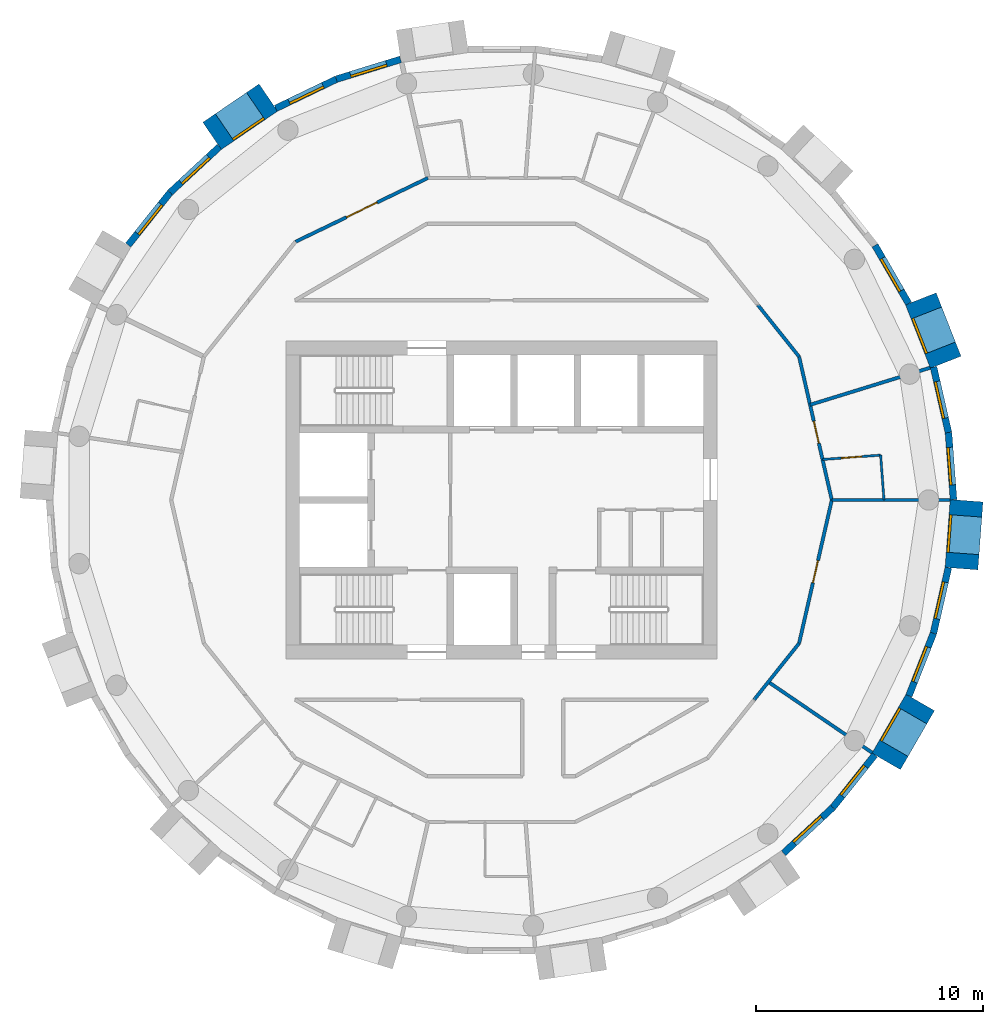
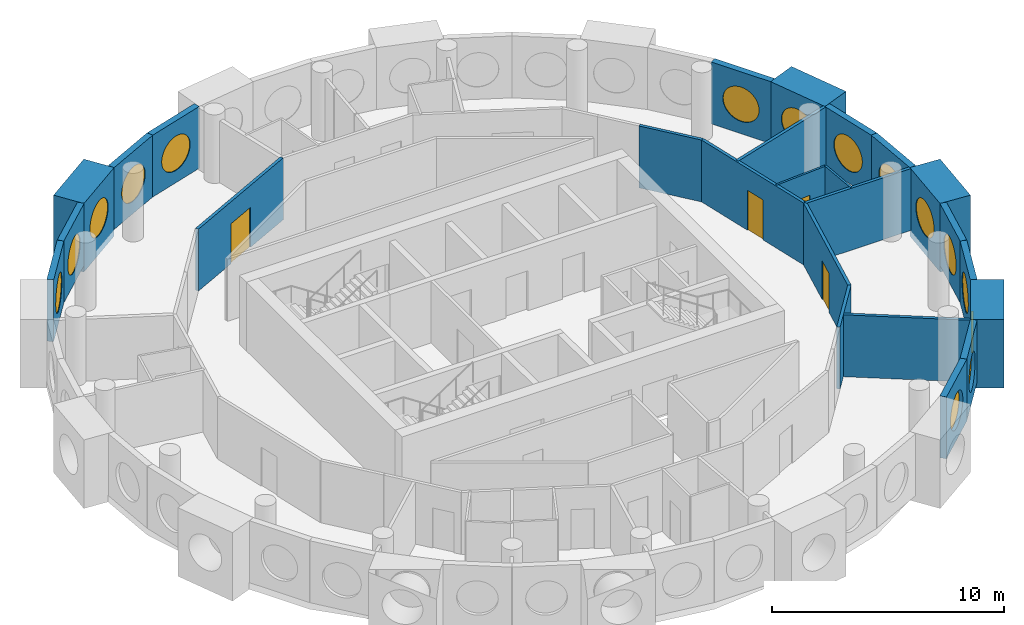
# One storey, part 10 of 13: 25 walls, 15 windows, 4 doors, 19 openings.
"""IFC4 building model written with IfcOpenShell, lengths in metres."""

from ifc_helpers import new_model, si_unit, direction, frame, frame_2d, origin, origin_2d, place, context, subcontext, project, spatial, rectangle, circle, extrude, material, layer, layer_set, type_object, element, fill, save


model = new_model("IFC4")

# Units and contexts
model_context = context("Model", 3, precision=1e-05, world=origin(), true_north=direction((0.0, 1.0)))
body_context = subcontext(model_context, "Body", "Model", "MODEL_VIEW")
ifc_project = project(units=[si_unit("LENGTHUNIT", "METRE"), si_unit("AREAUNIT", "SQUARE_METRE"), si_unit("VOLUMEUNIT", "CUBIC_METRE"), si_unit("PLANEANGLEUNIT", "RADIAN"), si_unit("MASSUNIT", "GRAM", prefix="KILO")], contexts=[model_context])

# Site, building, storey
site_placement = place(None, origin())
site = spatial("IfcSite", under=ifc_project, at=site_placement, CompositionType="ELEMENT")
building_placement = place(site_placement, origin())
building = spatial("IfcBuilding", under=site, at=building_placement, Name="Tracery Tower", CompositionType="ELEMENT")
storey_placement = place(building_placement, frame((0.0, 0.0, 298.199951171875)))
storey = spatial("IfcBuildingStorey", under=building, at=storey_placement, Name="L77", CompositionType="ELEMENT", Elevation=298.199951171875)

# Wall, opening, window
ifc_material_1 = material(Name="Precast concrete C50/60", Category="concrete")
ifc_layer_1 = layer(ifc_material_1, 1.449951171875)
ifc_layer_set_1 = layer_set([ifc_layer_1], Name="Deep-set bay unit 3000 x 3600, slab edge 350")
wall_type_1 = type_object("IfcWallType", Name="Deep-set bay unit 3000 x 3600, slab edge 350", PredefinedType="ELEMENTEDWALL", material=ifc_layer_set_1)
wall_1_placement = place(storey_placement, frame((19.576171875, 6.071533203125, -0.349853515625), z_axis=(0.0, 0.0, 1.0), x_axis=(-0.36537792632, 0.93085926485, 0.0)))
wall_1 = element("IfcWall", 1, at=wall_1_placement, inside=storey, type_object=wall_type_1, Name="Deep-set bay unit 3 at L77", PredefinedType="ELEMENTEDWALL", context=body_context, shape_type="SweptSolid", body=[
    extrude(rectangle(XDim=3.000244140625, YDim=1.449951171875, at=frame_2d((1.5, 0.0))), origin(), (0.0, 0.0, 1.0), 3.599853515625),
])
opening_1_placement = place(wall_1_placement, frame((1.5, 0.0, 1.89990234375)))
opening_1 = element("IfcOpeningElement", 2, at=opening_1_placement, cuts=wall_1, Name="Opening WN1", PredefinedType="OPENING", context=body_context, shape_type="SweptSolid", body=[
    extrude(circle(Radius=0.9000244140625, at=origin_2d()), frame((0.0, 0.73486328125, 0.0), z_axis=(0.0, -1.0, 0.0), x_axis=(1.0, 0.0, 0.0)), (0.0, 0.0, 1.0), 1.469970703125),
])
ifc_material_2 = material(Name="Aluminium frame with tinted double glazing", Category="aluminium")
window_type = type_object("IfcWindowType", Name="Round window 1800", PartitioningType="SINGLE_PANEL", PredefinedType="WINDOW", material=ifc_material_2)
window_1_placement = place(opening_1_placement, origin())
window_1 = element("IfcWindow", 3, at=window_1_placement, inside=storey, type_object=window_type, Name="Round window 3 at L77", OverallHeight=1.800048828125, OverallWidth=1.800048828125, PartitioningType="SINGLE_PANEL", PredefinedType="WINDOW", context=body_context, shape_type="SweptSolid", body=[
    extrude(circle(Radius=0.9000244140625, at=origin_2d()), frame((0.0, 0.69482421875, 0.0), z_axis=(0.0, -1.0, 0.0), x_axis=(1.0, 0.0, 0.0)), (0.0, 0.0, 1.0), 0.10009765625),
])
fill(opening_1, window_1)

wall_2_placement = place(storey_placement, frame((-10.275390625, 17.734130859375, -0.349853515625), z_axis=(0.0, 0.0, 1.0), x_axis=(-0.826246281157, -0.563309047392, 0.0)))
wall_2 = element("IfcWall", 4, at=wall_2_placement, inside=storey, type_object=wall_type_1, Name="Deep-set bay unit 15 at L77", PredefinedType="ELEMENTEDWALL", context=body_context, shape_type="SweptSolid", body=[
    extrude(rectangle(XDim=3.0, YDim=1.449951171875, at=frame_2d((1.5, 0.0))), origin(), (0.0, 0.0, 1.0), 3.599853515625),
])
opening_2_placement = place(wall_2_placement, frame((1.5, 0.0, 1.89990234375)))
opening_2 = element("IfcOpeningElement", 5, at=opening_2_placement, cuts=wall_2, Name="Opening WN1", PredefinedType="OPENING", context=body_context, shape_type="SweptSolid", body=[
    extrude(circle(Radius=0.9000244140625, at=origin_2d()), frame((0.0, 0.73486328125, 0.0), z_axis=(0.0, -1.0, 0.0), x_axis=(1.0, 0.0, 0.0)), (0.0, 0.0, 1.0), 1.469970703125),
])
window_2_placement = place(opening_2_placement, origin())
window_2 = element("IfcWindow", 6, at=window_2_placement, inside=storey, type_object=window_type, Name="Round window 15 at L77", OverallHeight=1.800048828125, OverallWidth=1.800048828125, PartitioningType="SINGLE_PANEL", PredefinedType="WINDOW", context=body_context, shape_type="SweptSolid", body=[
    extrude(circle(Radius=0.9000244140625, at=origin_2d()), frame((0.0, 0.69482421875, 0.0), z_axis=(0.0, -1.0, 0.0), x_axis=(1.0, 0.0, 0.0)), (0.0, 0.0, 1.0), 0.10009765625),
])
fill(opening_2, window_2)

wall_3_placement = place(storey_placement, frame((16.952392578125, -11.51953125, -0.349853515625), z_axis=(0.0, 0.0, 1.0), x_axis=(0.499990139034, 0.866031096941, 0.0)))
wall_3 = element("IfcWall", 7, at=wall_3_placement, inside=storey, type_object=wall_type_1, Name="Deep-set bay unit 39 at L77", PredefinedType="ELEMENTEDWALL", context=body_context, shape_type="SweptSolid", body=[
    extrude(rectangle(XDim=3.0, YDim=1.449951171875, at=frame_2d((1.5, 0.0))), origin(), (0.0, 0.0, 1.0), 3.599853515625),
])
opening_3_placement = place(wall_3_placement, frame((1.5, 0.0, 1.89990234375)))
opening_3 = element("IfcOpeningElement", 8, at=opening_3_placement, cuts=wall_3, Name="Opening WN1", PredefinedType="OPENING", context=body_context, shape_type="SweptSolid", body=[
    extrude(circle(Radius=0.9000244140625, at=origin_2d()), frame((0.0, 0.73486328125, 0.0), z_axis=(0.0, -1.0, 0.0), x_axis=(1.0, 0.0, 0.0)), (0.0, 0.0, 1.0), 1.469970703125),
])
window_3_placement = place(opening_3_placement, origin())
window_3 = element("IfcWindow", 9, at=window_3_placement, inside=storey, type_object=window_type, Name="Round window 39 at L77", OverallHeight=1.800048828125, OverallWidth=1.800048828125, PartitioningType="SINGLE_PANEL", PredefinedType="WINDOW", context=body_context, shape_type="SweptSolid", body=[
    extrude(circle(Radius=0.9000244140625, at=origin_2d()), frame((0.0, 0.69482421875, 0.0), z_axis=(0.0, -1.0, 0.0), x_axis=(1.0, 0.0, 0.0)), (0.0, 0.0, 1.0), 0.10009765625),
])
fill(opening_3, window_3)

wall_4_placement = place(storey_placement, frame((20.271728515625, -3.0234375, -0.349853515625), z_axis=(0.0, 0.0, 1.0), x_axis=(0.074785902127, 0.997199613339, 0.0)))
wall_4 = element("IfcWall", 10, at=wall_4_placement, inside=storey, type_object=wall_type_1, Name="Deep-set bay unit 42 at L77", PredefinedType="ELEMENTEDWALL", context=body_context, shape_type="SweptSolid", body=[
    extrude(rectangle(XDim=3.0, YDim=1.449951171875, at=frame_2d((1.5, 0.0))), origin(), (0.0, 0.0, 1.0), 3.599853515625),
])
opening_4_placement = place(wall_4_placement, frame((1.5, 0.0, 1.89990234375)))
opening_4 = element("IfcOpeningElement", 11, at=opening_4_placement, cuts=wall_4, Name="Opening WN1", PredefinedType="OPENING", context=body_context, shape_type="SweptSolid", body=[
    extrude(circle(Radius=0.9000244140625, at=origin_2d()), frame((0.0, 0.73486328125, 0.0), z_axis=(0.0, -1.0, 0.0), x_axis=(1.0, 0.0, 0.0)), (0.0, 0.0, 1.0), 1.469970703125),
])
window_4_placement = place(opening_4_placement, origin())
window_4 = element("IfcWindow", 12, at=window_4_placement, inside=storey, type_object=window_type, Name="Round window 42 at L77", OverallHeight=1.800048828125, OverallWidth=1.800048828125, PartitioningType="SINGLE_PANEL", PredefinedType="WINDOW", context=body_context, shape_type="SweptSolid", body=[
    extrude(circle(Radius=0.9000244140625, at=origin_2d()), frame((0.0, 0.69482421875, 0.0), z_axis=(0.0, -1.0, 0.0), x_axis=(1.0, 0.0, 0.0)), (0.0, 0.0, 1.0), 0.10009765625),
])
fill(opening_4, window_4)

ifc_material_3 = material(Name="Precast concrete C50/60", Category="concrete")
ifc_layer_2 = layer(ifc_material_3, 0.300048828125)
ifc_layer_set_2 = layer_set([ifc_layer_2], Name="Facade panel 3000 x 3250")
wall_type_2 = type_object("IfcWallType", Name="Facade panel 3000 x 3250", PredefinedType="SOLIDWALL", material=ifc_layer_set_2)
wall_5_placement = place(storey_placement, frame((19.920654296875, 0.01513671875, 0.0), z_axis=(0.0, 0.0, 1.0), x_axis=(-0.07474897196, 0.997202382263, 0.0)))
wall_5 = element("IfcWall", 13, at=wall_5_placement, inside=storey, type_object=wall_type_2, Name="Facade panel 1 at L77", PredefinedType="SOLIDWALL", context=body_context, shape_type="SweptSolid", body=[
    extrude(rectangle(XDim=2.96240234375, YDim=0.300048828125, at=frame_2d((1.481201171875, 0.0))), origin(), (0.0, 0.0, 1.0), 3.25),
])
opening_5_placement = place(wall_5_placement, frame((1.48095703125, 0.0, 1.5498046875)))
opening_5 = element("IfcOpeningElement", 14, at=opening_5_placement, cuts=wall_5, Name="Opening WN1", PredefinedType="OPENING", context=body_context, shape_type="SweptSolid", body=[
    extrude(circle(Radius=0.9000244140625, at=origin_2d()), frame((0.0, 0.159912109375, 0.0), z_axis=(0.0, -1.0, 0.0), x_axis=(1.0, 0.0, 0.0)), (0.0, 0.0, 1.0), 0.320068359375),
])
window_5_placement = place(opening_5_placement, origin())
window_5 = element("IfcWindow", 15, at=window_5_placement, inside=storey, type_object=window_type, Name="Round window 1 at L77", OverallHeight=1.800048828125, OverallWidth=1.800048828125, PartitioningType="SINGLE_PANEL", PredefinedType="WINDOW", context=body_context, shape_type="SweptSolid", body=[
    extrude(circle(Radius=0.9000244140625, at=origin_2d()), frame((0.0, 0.1201171875, 0.0), z_axis=(0.0, -1.0, 0.0), x_axis=(1.0, 0.0, 0.0)), (0.0, 0.0, 1.0), 0.10009765625),
])
fill(opening_5, window_5)

wall_6_placement = place(storey_placement, frame((19.69921875, 2.96923828125, 0.0), z_axis=(0.0, 0.0, 1.0), x_axis=(-0.222529389789, 0.974925982155, 0.0)))
wall_6 = element("IfcWall", 16, at=wall_6_placement, inside=storey, type_object=wall_type_2, Name="Facade panel 2 at L77", PredefinedType="SOLIDWALL", context=body_context, shape_type="SweptSolid", body=[
    extrude(rectangle(XDim=2.962158203125, YDim=0.300048828125, at=frame_2d((1.48095703125, 0.0))), origin(), (0.0, 0.0, 1.0), 3.25),
])
opening_6_placement = place(wall_6_placement, frame((1.48095703125, 0.0, 1.5498046875)))
opening_6 = element("IfcOpeningElement", 17, at=opening_6_placement, cuts=wall_6, Name="Opening WN1", PredefinedType="OPENING", context=body_context, shape_type="SweptSolid", body=[
    extrude(circle(Radius=0.9000244140625, at=origin_2d()), frame((0.0, 0.159912109375, 0.0), z_axis=(0.0, -1.0, 0.0), x_axis=(1.0, 0.0, 0.0)), (0.0, 0.0, 1.0), 0.320068359375),
])
window_6_placement = place(opening_6_placement, origin())
window_6 = element("IfcWindow", 18, at=window_6_placement, inside=storey, type_object=window_type, Name="Round window 2 at L77", OverallHeight=1.800048828125, OverallWidth=1.800048828125, PartitioningType="SINGLE_PANEL", PredefinedType="WINDOW", context=body_context, shape_type="SweptSolid", body=[
    extrude(circle(Radius=0.9000244140625, at=origin_2d()), frame((0.0, 0.1201171875, 0.0), z_axis=(0.0, -1.0, 0.0), x_axis=(1.0, 0.0, 0.0)), (0.0, 0.0, 1.0), 0.10009765625),
])
fill(opening_6, window_6)

wall_7_placement = place(storey_placement, frame((17.941162109375, 8.656982421875, 0.0), z_axis=(0.0, 0.0, 1.0), x_axis=(-0.499950756475, 0.86605383268, 0.0)))
wall_7 = element("IfcWall", 19, at=wall_7_placement, inside=storey, type_object=wall_type_2, Name="Facade panel 4 at L77", PredefinedType="SOLIDWALL", context=body_context, shape_type="SweptSolid", body=[
    extrude(rectangle(XDim=2.962158203125, YDim=0.300048828125, at=frame_2d((1.48095703125, 0.0))), origin(), (0.0, 0.0, 1.0), 3.25),
])
opening_7_placement = place(wall_7_placement, frame((1.48095703125, 0.0, 1.5498046875)))
opening_7 = element("IfcOpeningElement", 20, at=opening_7_placement, cuts=wall_7, Name="Opening WN1", PredefinedType="OPENING", context=body_context, shape_type="SweptSolid", body=[
    extrude(circle(Radius=0.9000244140625, at=origin_2d()), frame((0.0, 0.159912109375, 0.0), z_axis=(0.0, -1.0, 0.0), x_axis=(1.0, 0.0, 0.0)), (0.0, 0.0, 1.0), 0.320068359375),
])
window_7_placement = place(opening_7_placement, origin())
window_7 = element("IfcWindow", 21, at=window_7_placement, inside=storey, type_object=window_type, Name="Round window 4 at L77", OverallHeight=1.800048828125, OverallWidth=1.800048828125, PartitioningType="SINGLE_PANEL", PredefinedType="WINDOW", context=body_context, shape_type="SweptSolid", body=[
    extrude(circle(Radius=0.9000244140625, at=origin_2d()), frame((0.0, 0.1201171875, 0.0), z_axis=(0.0, -1.0, 0.0), x_axis=(1.0, 0.0, 0.0)), (0.0, 0.0, 1.0), 0.10009765625),
])
fill(opening_7, window_7)

wall_8_placement = place(storey_placement, frame((-4.447509765625, 19.417724609375, 0.0), z_axis=(0.0, 0.0, 1.0), x_axis=(-0.95558635705, -0.294711238707, 0.0)))
wall_8 = element("IfcWall", 22, at=wall_8_placement, inside=storey, type_object=wall_type_2, Name="Facade panel 13 at L77", PredefinedType="SOLIDWALL", context=body_context, shape_type="SweptSolid", body=[
    extrude(rectangle(XDim=2.96240234375, YDim=0.300048828125, at=frame_2d((1.481201171875, 0.0))), origin(), (0.0, 0.0, 1.0), 3.25),
])
opening_8_placement = place(wall_8_placement, frame((1.48095703125, 0.0, 1.5498046875)))
opening_8 = element("IfcOpeningElement", 23, at=opening_8_placement, cuts=wall_8, Name="Opening WN1", PredefinedType="OPENING", context=body_context, shape_type="SweptSolid", body=[
    extrude(circle(Radius=0.9000244140625, at=origin_2d()), frame((0.0, 0.159912109375, 0.0), z_axis=(0.0, -1.0, 0.0), x_axis=(1.0, 0.0, 0.0)), (0.0, 0.0, 1.0), 0.320068359375),
])
window_8_placement = place(opening_8_placement, origin())
window_8 = element("IfcWindow", 24, at=window_8_placement, inside=storey, type_object=window_type, Name="Round window 13 at L77", OverallHeight=1.800048828125, OverallWidth=1.800048828125, PartitioningType="SINGLE_PANEL", PredefinedType="WINDOW", context=body_context, shape_type="SweptSolid", body=[
    extrude(circle(Radius=0.9000244140625, at=origin_2d()), frame((0.0, 0.1201171875, 0.0), z_axis=(0.0, -1.0, 0.0), x_axis=(1.0, 0.0, 0.0)), (0.0, 0.0, 1.0), 0.10009765625),
])
fill(opening_8, window_8)

wall_9_placement = place(storey_placement, frame((-7.2783203125, 18.544677734375, 0.0), z_axis=(0.0, 0.0, 1.0), x_axis=(-0.900939615635, -0.433944476838, 0.0)))
wall_9 = element("IfcWall", 25, at=wall_9_placement, inside=storey, type_object=wall_type_2, Name="Facade panel 14 at L77", PredefinedType="SOLIDWALL", context=body_context, shape_type="SweptSolid", body=[
    extrude(rectangle(XDim=2.962158203125, YDim=0.300048828125, at=frame_2d((1.48095703125, 0.0))), origin(), (0.0, 0.0, 1.0), 3.25),
])
opening_9_placement = place(wall_9_placement, frame((1.48095703125, 0.0, 1.5498046875)))
opening_9 = element("IfcOpeningElement", 26, at=opening_9_placement, cuts=wall_9, Name="Opening WN1", PredefinedType="OPENING", context=body_context, shape_type="SweptSolid", body=[
    extrude(circle(Radius=0.9000244140625, at=origin_2d()), frame((0.0, 0.159912109375, 0.0), z_axis=(0.0, -1.0, 0.0), x_axis=(1.0, 0.0, 0.0)), (0.0, 0.0, 1.0), 0.320068359375),
])
window_9_placement = place(opening_9_placement, origin())
window_9 = element("IfcWindow", 27, at=window_9_placement, inside=storey, type_object=window_type, Name="Round window 14 at L77", OverallHeight=1.800048828125, OverallWidth=1.800048828125, PartitioningType="SINGLE_PANEL", PredefinedType="WINDOW", context=body_context, shape_type="SweptSolid", body=[
    extrude(circle(Radius=0.9000244140625, at=origin_2d()), frame((0.0, 0.1201171875, 0.0), z_axis=(0.0, -1.0, 0.0), x_axis=(1.0, 0.0, 0.0)), (0.0, 0.0, 1.0), 0.10009765625),
])
fill(opening_9, window_9)

wall_10_placement = place(storey_placement, frame((-12.43212890625, 15.565185546875, 0.0), z_axis=(0.0, 0.0, 1.0), x_axis=(-0.733066412643, -0.680157066165, 0.0)))
wall_10 = element("IfcWall", 28, at=wall_10_placement, inside=storey, type_object=wall_type_2, Name="Facade panel 16 at L77", PredefinedType="SOLIDWALL", context=body_context, shape_type="SweptSolid", body=[
    extrude(rectangle(XDim=2.96240234375, YDim=0.300048828125, at=frame_2d((1.481201171875, 0.0))), origin(), (0.0, 0.0, 1.0), 3.25),
])
opening_10_placement = place(wall_10_placement, frame((1.48095703125, 0.0, 1.5498046875)))
opening_10 = element("IfcOpeningElement", 29, at=opening_10_placement, cuts=wall_10, Name="Opening WN1", PredefinedType="OPENING", context=body_context, shape_type="SweptSolid", body=[
    extrude(circle(Radius=0.9000244140625, at=origin_2d()), frame((0.0, 0.159912109375, 0.0), z_axis=(0.0, -1.0, 0.0), x_axis=(1.0, 0.0, 0.0)), (0.0, 0.0, 1.0), 0.320068359375),
])
window_10_placement = place(opening_10_placement, origin())
window_10 = element("IfcWindow", 30, at=window_10_placement, inside=storey, type_object=window_type, Name="Round window 16 at L77", OverallHeight=1.800048828125, OverallWidth=1.800048828125, PartitioningType="SINGLE_PANEL", PredefinedType="WINDOW", context=body_context, shape_type="SweptSolid", body=[
    extrude(circle(Radius=0.9000244140625, at=origin_2d()), frame((0.0, 0.1201171875, 0.0), z_axis=(0.0, -1.0, 0.0), x_axis=(1.0, 0.0, 0.0)), (0.0, 0.0, 1.0), 0.10009765625),
])
fill(opening_10, window_10)

wall_11_placement = place(storey_placement, frame((-14.603759765625, 13.55029296875, 0.0), z_axis=(0.0, 0.0, 1.0), x_axis=(-0.623498236992, -0.781824755599, 0.0)))
wall_11 = element("IfcWall", 31, at=wall_11_placement, inside=storey, type_object=wall_type_2, Name="Facade panel 17 at L77", PredefinedType="SOLIDWALL", context=body_context, shape_type="SweptSolid", body=[
    extrude(rectangle(XDim=2.962158203125, YDim=0.300048828125, at=frame_2d((1.48095703125, 0.0))), origin(), (0.0, 0.0, 1.0), 3.25),
])
opening_11_placement = place(wall_11_placement, frame((1.48095703125, 0.0, 1.5498046875)))
opening_11 = element("IfcOpeningElement", 32, at=opening_11_placement, cuts=wall_11, Name="Opening WN1", PredefinedType="OPENING", context=body_context, shape_type="SweptSolid", body=[
    extrude(circle(Radius=0.9000244140625, at=origin_2d()), frame((0.0, 0.159912109375, 0.0), z_axis=(0.0, -1.0, 0.0), x_axis=(1.0, 0.0, 0.0)), (0.0, 0.0, 1.0), 0.320068359375),
])
window_11_placement = place(opening_11_placement, origin())
window_11 = element("IfcWindow", 33, at=window_11_placement, inside=storey, type_object=window_type, Name="Round window 17 at L77", OverallHeight=1.800048828125, OverallWidth=1.800048828125, PartitioningType="SINGLE_PANEL", PredefinedType="WINDOW", context=body_context, shape_type="SweptSolid", body=[
    extrude(circle(Radius=0.9000244140625, at=origin_2d()), frame((0.0, 0.1201171875, 0.0), z_axis=(0.0, -1.0, 0.0), x_axis=(1.0, 0.0, 0.0)), (0.0, 0.0, 1.0), 0.10009765625),
])
fill(opening_11, window_11)

wall_12_placement = place(storey_placement, frame((12.43212890625, -15.565185546875, 0.0), z_axis=(0.0, 0.0, 1.0), x_axis=(0.733066412643, 0.680157066165, 0.0)))
wall_12 = element("IfcWall", 34, at=wall_12_placement, inside=storey, type_object=wall_type_2, Name="Facade panel 37 at L77", PredefinedType="SOLIDWALL", context=body_context, shape_type="SweptSolid", body=[
    extrude(rectangle(XDim=2.96240234375, YDim=0.300048828125, at=frame_2d((1.481201171875, 0.0))), origin(), (0.0, 0.0, 1.0), 3.25),
])
opening_12_placement = place(wall_12_placement, frame((1.48095703125, 0.0, 1.5498046875)))
opening_12 = element("IfcOpeningElement", 35, at=opening_12_placement, cuts=wall_12, Name="Opening WN1", PredefinedType="OPENING", context=body_context, shape_type="SweptSolid", body=[
    extrude(circle(Radius=0.9000244140625, at=origin_2d()), frame((0.0, 0.159912109375, 0.0), z_axis=(0.0, -1.0, 0.0), x_axis=(1.0, 0.0, 0.0)), (0.0, 0.0, 1.0), 0.320068359375),
])
window_12_placement = place(opening_12_placement, origin())
window_12 = element("IfcWindow", 36, at=window_12_placement, inside=storey, type_object=window_type, Name="Round window 37 at L77", OverallHeight=1.800048828125, OverallWidth=1.800048828125, PartitioningType="SINGLE_PANEL", PredefinedType="WINDOW", context=body_context, shape_type="SweptSolid", body=[
    extrude(circle(Radius=0.9000244140625, at=origin_2d()), frame((0.0, 0.1201171875, 0.0), z_axis=(0.0, -1.0, 0.0), x_axis=(1.0, 0.0, 0.0)), (0.0, 0.0, 1.0), 0.10009765625),
])
fill(opening_12, window_12)

wall_13_placement = place(storey_placement, frame((14.603759765625, -13.55029296875, 0.0), z_axis=(0.0, 0.0, 1.0), x_axis=(0.623498236992, 0.781824755599, 0.0)))
wall_13 = element("IfcWall", 37, at=wall_13_placement, inside=storey, type_object=wall_type_2, Name="Facade panel 38 at L77", PredefinedType="SOLIDWALL", context=body_context, shape_type="SweptSolid", body=[
    extrude(rectangle(XDim=2.962158203125, YDim=0.300048828125, at=frame_2d((1.48095703125, 0.0))), origin(), (0.0, 0.0, 1.0), 3.25),
])
opening_13_placement = place(wall_13_placement, frame((1.48095703125, 0.0, 1.5498046875)))
opening_13 = element("IfcOpeningElement", 38, at=opening_13_placement, cuts=wall_13, Name="Opening WN1", PredefinedType="OPENING", context=body_context, shape_type="SweptSolid", body=[
    extrude(circle(Radius=0.9000244140625, at=origin_2d()), frame((0.0, 0.159912109375, 0.0), z_axis=(0.0, -1.0, 0.0), x_axis=(1.0, 0.0, 0.0)), (0.0, 0.0, 1.0), 0.320068359375),
])
window_13_placement = place(opening_13_placement, origin())
window_13 = element("IfcWindow", 39, at=window_13_placement, inside=storey, type_object=window_type, Name="Round window 38 at L77", OverallHeight=1.800048828125, OverallWidth=1.800048828125, PartitioningType="SINGLE_PANEL", PredefinedType="WINDOW", context=body_context, shape_type="SweptSolid", body=[
    extrude(circle(Radius=0.9000244140625, at=origin_2d()), frame((0.0, 0.1201171875, 0.0), z_axis=(0.0, -1.0, 0.0), x_axis=(1.0, 0.0, 0.0)), (0.0, 0.0, 1.0), 0.10009765625),
])
fill(opening_13, window_13)

wall_14_placement = place(storey_placement, frame((17.95458984375, -8.62939453125, 0.0), z_axis=(0.0, 0.0, 1.0), x_axis=(0.36530043032, 0.930889679612, 0.0)))
wall_14 = element("IfcWall", 40, at=wall_14_placement, inside=storey, type_object=wall_type_2, Name="Facade panel 40 at L77", PredefinedType="SOLIDWALL", context=body_context, shape_type="SweptSolid", body=[
    extrude(rectangle(XDim=2.9619140625, YDim=0.300048828125, at=frame_2d((1.48095703125, 0.0))), origin(), (0.0, 0.0, 1.0), 3.25),
])
opening_14_placement = place(wall_14_placement, frame((1.48095703125, 0.0, 1.5498046875)))
opening_14 = element("IfcOpeningElement", 41, at=opening_14_placement, cuts=wall_14, Name="Opening WN1", PredefinedType="OPENING", context=body_context, shape_type="SweptSolid", body=[
    extrude(circle(Radius=0.9000244140625, at=origin_2d()), frame((0.0, 0.159912109375, 0.0), z_axis=(0.0, -1.0, 0.0), x_axis=(1.0, 0.0, 0.0)), (0.0, 0.0, 1.0), 0.320068359375),
])
window_14_placement = place(opening_14_placement, origin())
window_14 = element("IfcWindow", 42, at=window_14_placement, inside=storey, type_object=window_type, Name="Round window 40 at L77", OverallHeight=1.800048828125, OverallWidth=1.800048828125, PartitioningType="SINGLE_PANEL", PredefinedType="WINDOW", context=body_context, shape_type="SweptSolid", body=[
    extrude(circle(Radius=0.9000244140625, at=origin_2d()), frame((0.0, 0.1201171875, 0.0), z_axis=(0.0, -1.0, 0.0), x_axis=(1.0, 0.0, 0.0)), (0.0, 0.0, 1.0), 0.10009765625),
])
fill(opening_14, window_14)

wall_15_placement = place(storey_placement, frame((19.03662109375, -5.8720703125, 0.0), z_axis=(0.0, 0.0, 1.0), x_axis=(0.222529389789, 0.974925982155, 0.0)))
wall_15 = element("IfcWall", 43, at=wall_15_placement, inside=storey, type_object=wall_type_2, Name="Facade panel 41 at L77", PredefinedType="SOLIDWALL", context=body_context, shape_type="SweptSolid", body=[
    extrude(rectangle(XDim=2.962158203125, YDim=0.300048828125, at=frame_2d((1.48095703125, 0.0))), origin(), (0.0, 0.0, 1.0), 3.25),
])
opening_15_placement = place(wall_15_placement, frame((1.48095703125, 0.0, 1.5498046875)))
opening_15 = element("IfcOpeningElement", 44, at=opening_15_placement, cuts=wall_15, Name="Opening WN1", PredefinedType="OPENING", context=body_context, shape_type="SweptSolid", body=[
    extrude(circle(Radius=0.9000244140625, at=origin_2d()), frame((0.0, 0.159912109375, 0.0), z_axis=(0.0, -1.0, 0.0), x_axis=(1.0, 0.0, 0.0)), (0.0, 0.0, 1.0), 0.320068359375),
])
window_15_placement = place(opening_15_placement, origin())
window_15 = element("IfcWindow", 45, at=window_15_placement, inside=storey, type_object=window_type, Name="Round window 41 at L77", OverallHeight=1.800048828125, OverallWidth=1.800048828125, PartitioningType="SINGLE_PANEL", PredefinedType="WINDOW", context=body_context, shape_type="SweptSolid", body=[
    extrude(circle(Radius=0.9000244140625, at=origin_2d()), frame((0.0, 0.1201171875, 0.0), z_axis=(0.0, -1.0, 0.0), x_axis=(1.0, 0.0, 0.0)), (0.0, 0.0, 1.0), 0.10009765625),
])
fill(opening_15, window_15)

# Wall
ifc_material_4 = material(Name="Plasterboard on steel studs", Category="steel")
ifc_layer_3 = layer(ifc_material_4, 0.10009765625)
ifc_layer_set_3 = layer_set([ifc_layer_3], Name="Partition 100 wet wall")
wall_type_3 = type_object("IfcWallType", Name="Partition 100 wet wall", PredefinedType="PARTITIONING", material=ifc_layer_set_3)
wall_16_placement = place(storey_placement, frame((16.7080078125, 1.97705078125, 0.0), z_axis=(0.0, 0.0, 1.0), x_axis=(0.074624634103, -0.997211694669, 0.0)))
element("IfcWall", 46, at=wall_16_placement, inside=storey, type_object=wall_type_3, Name="Wet wall RC7-043", PredefinedType="PARTITIONING", context=body_context, shape_type="SweptSolid", body=[
    extrude(rectangle(XDim=1.982666015625, YDim=0.10009765625, at=frame_2d((0.9912109375, 0.0))), origin(), (0.0, 0.0, 1.0), 3.25),
])

# Wall, opening, door
wall_17_placement = place(storey_placement, frame((14.14892578125, 1.784912109375, 0.0), z_axis=(0.0, 0.0, 1.0), x_axis=(0.997193275785, 0.074870359477, 0.0)))
wall_17 = element("IfcWall", 47, at=wall_17_placement, inside=storey, type_object=wall_type_3, Name="Wet wall RC7-044", PredefinedType="PARTITIONING", context=body_context, shape_type="SweptSolid", body=[
    extrude(rectangle(XDim=2.56640625, YDim=0.10009765625, at=frame_2d((1.283203125, 0.0))), origin(), (0.0, 0.0, 1.0), 3.25),
])
opening_16_placement = place(wall_17_placement, frame((0.833251953125, 0.0, 0.0)))
opening_16 = element("IfcOpeningElement", 48, at=opening_16_placement, cuts=wall_17, Name="Opening RC7-04", PredefinedType="OPENING", context=body_context, shape_type="SweptSolid", body=[
    extrude(rectangle(XDim=0.89990234375, YDim=2.0400390625, at=frame_2d((0.449951171875, 1.02001953125))), frame((0.0, 0.050048828125, 0.0), z_axis=(0.0, -1.0, 0.0), x_axis=(1.0, 0.0, 0.0)), (0.0, 0.0, 1.0), 0.10009765625),
])
ifc_material_5 = material(Name="Timber door leaf", Category="wood")
door_type_1 = type_object("IfcDoorType", Name="Door en-suite 900", OperationType="NOTDEFINED", PredefinedType="DOOR", material=ifc_material_5)
door_1_placement = place(opening_16_placement, origin())
door_1 = element("IfcDoor", 49, at=door_1_placement, inside=storey, type_object=door_type_1, Name="En-suite door RC7-04", OperationType="SINGLE_SWING_LEFT", OverallHeight=2.0400390625, OverallWidth=0.89990234375, PredefinedType="DOOR", context=body_context, shape_type="SweptSolid", body=[
    extrude(rectangle(XDim=0.89990234375, YDim=2.0400390625, at=frame_2d((0.449951171875, 1.02001953125))), frame((0.0, 0.02490234375, 0.0), z_axis=(0.0, -1.0, 0.0), x_axis=(1.0, 0.0, 0.0)), (0.0, 0.0, 1.0), 0.050048828125),
])
fill(opening_16, door_1)

# Walls
ifc_material_6 = material(Name="Plasterboard on steel studs", Category="steel")
ifc_layer_4 = layer(ifc_material_6, 0.14990234375)
ifc_layer_set_4 = layer_set([ifc_layer_4], Name="Partition 150 acoustic unit wall")
wall_type_4 = type_object("IfcWallType", Name="Partition 150 acoustic unit wall", PredefinedType="PARTITIONING", material=ifc_layer_set_4)
wall_18_placement = place(storey_placement, frame((13.59912109375, 4.195068359375, 0.0), z_axis=(0.0, 0.0, 1.0), x_axis=(0.955510861731, 0.294955917239, 0.0)))
element("IfcWall", 50, at=wall_18_placement, inside=storey, type_object=wall_type_4, Name="Unit wall RC7-045", PredefinedType="PARTITIONING", context=body_context, shape_type="SweptSolid", body=[
    extrude(rectangle(XDim=5.5400390625, YDim=0.14990234375, at=frame_2d((2.77001953125, 0.0))), origin(), (0.0, 0.0, 1.0), 3.25),
])
wall_19_placement = place(storey_placement, frame((14.556884765625, 0.0, 0.0), z_axis=(0.0, 0.0, 1.0), x_axis=(1.0, 0.0, 0.0)))
element("IfcWall", 51, at=wall_19_placement, inside=storey, type_object=wall_type_4, Name="Unit wall RC7-046", PredefinedType="PARTITIONING", context=body_context, shape_type="SweptSolid", body=[
    extrude(rectangle(XDim=5.214111328125, YDim=0.14990234375, at=frame_2d((2.60693359375, 0.0))), origin(), (0.0, 0.0, 1.0), 3.25),
])
wall_20_placement = place(storey_placement, frame((11.759033203125, -8.01708984375, 0.0), z_axis=(0.0, 0.0, 1.0), x_axis=(0.826207761897, -0.563365542238, 0.0)))
element("IfcWall", 52, at=wall_20_placement, inside=storey, type_object=wall_type_4, Name="Unit wall RC7-071", PredefinedType="PARTITIONING", context=body_context, shape_type="SweptSolid", body=[
    extrude(rectangle(XDim=5.53955078125, YDim=0.14990234375, at=frame_2d((2.769775390625, 0.0))), origin(), (0.0, 0.0, 1.0), 3.25),
])

# Wall, opening, door
ifc_material_7 = material(Name="Plasterboard on steel studs", Category="steel")
ifc_layer_5 = layer(ifc_material_7, 0.14990234375)
ifc_layer_set_5 = layer_set([ifc_layer_5], Name="Partition 150 corridor wall")
wall_type_5 = type_object("IfcWallType", Name="Partition 150 corridor wall", PredefinedType="PARTITIONING", material=ifc_layer_set_5)
wall_21_placement = place(storey_placement, frame((13.11474609375, 6.31591796875, 0.0), z_axis=(0.0, 0.0, 1.0), x_axis=(0.222568978642, -0.97491694505, 0.0)))
wall_21 = element("IfcWall", 53, at=wall_21_placement, inside=storey, type_object=wall_type_5, Name="Corridor wall RC7-020", PredefinedType="PARTITIONING", context=body_context, shape_type="SweptSolid", body=[
    extrude(rectangle(XDim=6.478515625, YDim=0.14990234375, at=frame_2d((3.2392578125, 0.0))), origin(), (0.0, 0.0, 1.0), 3.25),
])
opening_17_placement = place(wall_21_placement, frame((2.911376953125, 0.0, 0.0)))
opening_17 = element("IfcOpeningElement", 54, at=opening_17_placement, cuts=wall_21, Name="Opening RC7-05", PredefinedType="OPENING", context=body_context, shape_type="SweptSolid", body=[
    extrude(rectangle(XDim=1.0, YDim=2.10009765625, at=frame_2d((0.5, 1.050048828125))), frame((0.0, 0.074951171875, 0.0), z_axis=(0.0, -1.0, 0.0), x_axis=(1.0, 0.0, 0.0)), (0.0, 0.0, 1.0), 0.14990234375),
])
ifc_material_8 = material(Name="Timber door leaf", Category="wood")
door_type_2 = type_object("IfcDoorType", Name="Door unit entrance 1000", OperationType="NOTDEFINED", PredefinedType="DOOR", material=ifc_material_8)
door_2_placement = place(opening_17_placement, origin())
door_2 = element("IfcDoor", 55, at=door_2_placement, inside=storey, type_object=door_type_2, Name="Unit entrance door RC7-05", OperationType="SINGLE_SWING_LEFT", OverallHeight=2.10009765625, OverallWidth=1.0, PredefinedType="DOOR", context=body_context, shape_type="SweptSolid", body=[
    extrude(rectangle(XDim=1.0, YDim=2.10009765625, at=frame_2d((0.5, 1.050048828125))), frame((0.0, 0.02490234375, 0.0), z_axis=(0.0, -1.0, 0.0), x_axis=(1.0, 0.0, 0.0)), (0.0, 0.0, 1.0), 0.050048828125),
])
fill(opening_17, door_2)

# Walls
wall_22_placement = place(storey_placement, frame((11.300048828125, 8.592041015625, 0.0), z_axis=(0.0, 0.0, 1.0), x_axis=(0.623446514299, -0.781866001185, 0.0)))
element("IfcWall", 56, at=wall_22_placement, inside=storey, type_object=wall_type_5, Name="Corridor wall RC7-021", PredefinedType="PARTITIONING", context=body_context, shape_type="SweptSolid", body=[
    extrude(rectangle(XDim=2.9111328125, YDim=0.14990234375, at=frame_2d((1.45556640625, 0.0))), origin(), (0.0, 0.0, 1.0), 3.25),
])
wall_23_placement = place(storey_placement, frame((11.134033203125, -8.800048828125, 0.0), z_axis=(0.0, 0.0, 1.0), x_axis=(0.623560523309, 0.781775078761, 0.0)))
element("IfcWall", 57, at=wall_23_placement, inside=storey, type_object=wall_type_5, Name="Corridor wall RC7-022", PredefinedType="PARTITIONING", context=body_context, shape_type="SweptSolid", body=[
    extrude(rectangle(XDim=3.17724609375, YDim=0.14990234375, at=frame_2d((1.588623046875, 0.0))), origin(), (0.0, 0.0, 1.0), 3.25),
])

# Wall, opening, door
wall_24_placement = place(storey_placement, frame((13.114990234375, -6.31591796875, 0.0), z_axis=(0.0, 0.0, 1.0), x_axis=(0.222568978642, 0.97491694505, 0.0)))
wall_24 = element("IfcWall", 58, at=wall_24_placement, inside=storey, type_object=wall_type_5, Name="Corridor wall RC7-023", PredefinedType="PARTITIONING", context=body_context, shape_type="SweptSolid", body=[
    extrude(rectangle(XDim=6.478515625, YDim=0.14990234375, at=frame_2d((3.2392578125, 0.0))), origin(), (0.0, 0.0, 1.0), 3.25),
])
opening_18_placement = place(wall_24_placement, frame((2.739501953125, 0.0, 0.0)))
opening_18 = element("IfcOpeningElement", 59, at=opening_18_placement, cuts=wall_24, Name="Opening RC7-22", PredefinedType="OPENING", context=body_context, shape_type="SweptSolid", body=[
    extrude(rectangle(XDim=1.0, YDim=2.0400390625, at=frame_2d((0.5, 1.02001953125))), frame((0.0, 0.074951171875, 0.0), z_axis=(0.0, -1.0, 0.0), x_axis=(1.0, 0.0, 0.0)), (0.0, 0.0, 1.0), 0.14990234375),
])
ifc_material_9 = material(Name="Timber door leaf", Category="wood")
door_type_3 = type_object("IfcDoorType", Name="Door communal room 1000", OperationType="NOTDEFINED", PredefinedType="DOOR", material=ifc_material_9)
door_3_placement = place(opening_18_placement, origin())
door_3 = element("IfcDoor", 60, at=door_3_placement, inside=storey, type_object=door_type_3, Name="Communal room door RC7-22", OperationType="SINGLE_SWING_LEFT", OverallHeight=2.0400390625, OverallWidth=1.0, PredefinedType="DOOR", context=body_context, shape_type="SweptSolid", body=[
    extrude(rectangle(XDim=1.0, YDim=2.0400390625, at=frame_2d((0.5, 1.02001953125))), frame((0.0, 0.02490234375, 0.0), z_axis=(0.0, -1.0, 0.0), x_axis=(1.0, 0.0, 0.0)), (0.0, 0.0, 1.0), 0.050048828125),
])
fill(opening_18, door_3)

wall_25_placement = place(storey_placement, frame((-9.075927734375, 11.381103515625, 0.0), z_axis=(0.0, 0.0, 1.0), x_axis=(0.900976027191, 0.433868872388, 0.0)))
wall_25 = element("IfcWall", 61, at=wall_25_placement, inside=storey, type_object=wall_type_5, Name="Corridor wall RC7-029", PredefinedType="PARTITIONING", context=body_context, shape_type="SweptSolid", body=[
    extrude(rectangle(XDim=6.478515625, YDim=0.14990234375, at=frame_2d((3.2392578125, 0.0))), origin(), (0.0, 0.0, 1.0), 3.25),
])
opening_19_placement = place(wall_25_placement, frame((2.489013671875, 0.0, 0.0)))
opening_19 = element("IfcOpeningElement", 62, at=opening_19_placement, cuts=wall_25, Name="Opening RC7-11", PredefinedType="OPENING", context=body_context, shape_type="SweptSolid", body=[
    extrude(rectangle(XDim=1.5, YDim=2.10009765625, at=frame_2d((0.75, 1.050048828125))), frame((0.0, 0.074951171875, 0.0), z_axis=(0.0, -1.0, 0.0), x_axis=(1.0, 0.0, 0.0)), (0.0, 0.0, 1.0), 0.14990234375),
])
ifc_material_10 = material(Name="Timber door leaf", Category="wood")
door_type_4 = type_object("IfcDoorType", Name="Door double kitchen 1500", OperationType="NOTDEFINED", PredefinedType="DOOR", material=ifc_material_10)
door_4_placement = place(opening_19_placement, origin())
door_4 = element("IfcDoor", 63, at=door_4_placement, inside=storey, type_object=door_type_4, Name="Double kitchen door RC7-11", OperationType="DOUBLE_DOOR_SINGLE_SWING", OverallHeight=2.10009765625, OverallWidth=1.5, PredefinedType="DOOR", context=body_context, shape_type="SweptSolid", body=[
    extrude(rectangle(XDim=1.5, YDim=2.10009765625, at=frame_2d((0.75, 1.050048828125))), frame((0.0, 0.02490234375, 0.0), z_axis=(0.0, -1.0, 0.0), x_axis=(1.0, 0.0, 0.0)), (0.0, 0.0, 1.0), 0.050048828125),
])
fill(opening_19, door_4)

save(model, "model.ifc")
